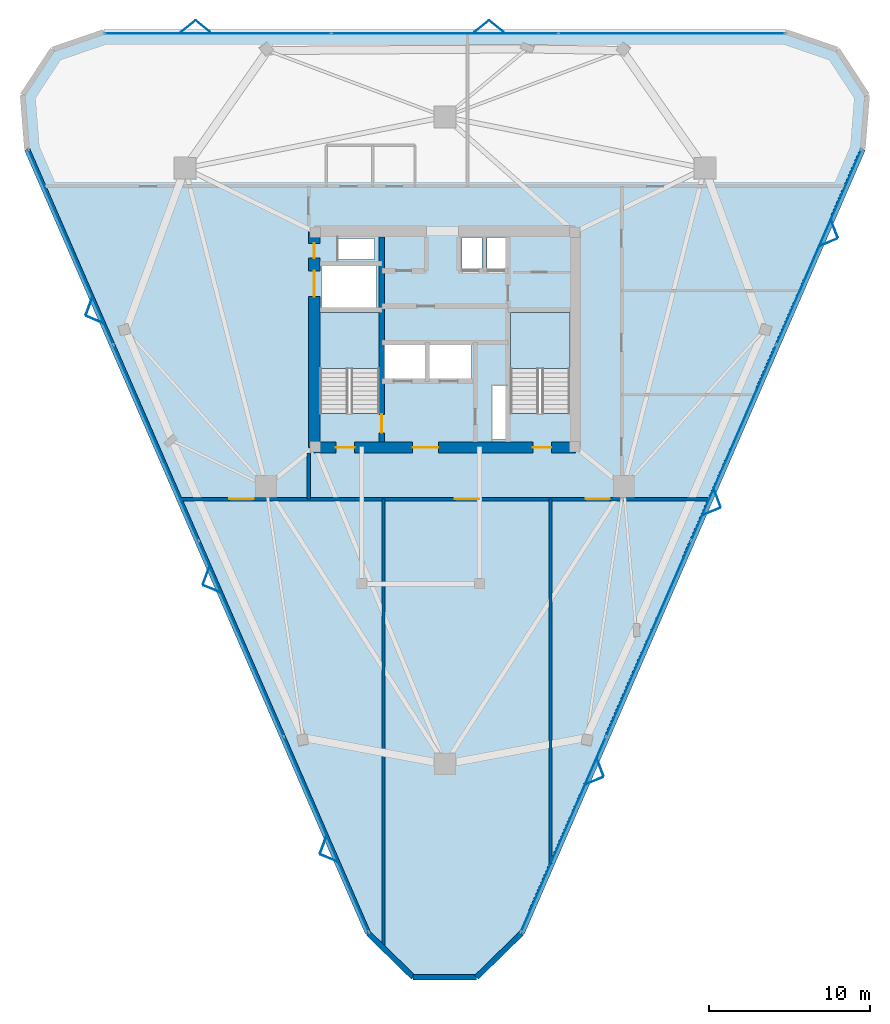
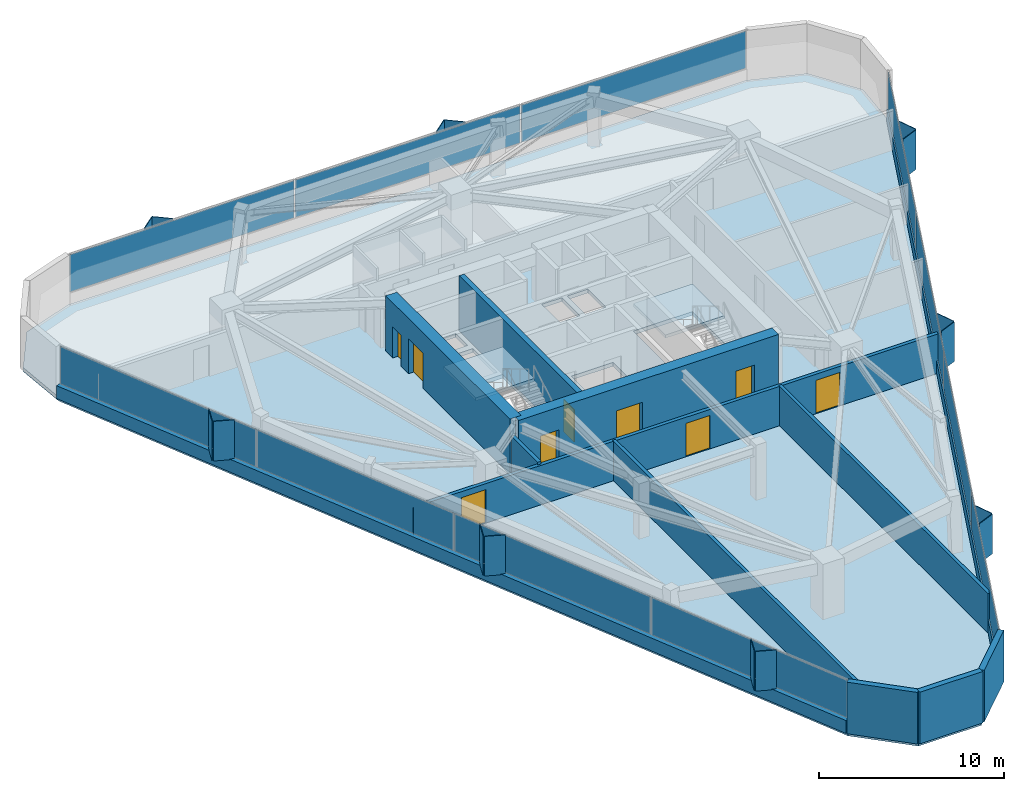
# One storey, part 9 of 13: 27 plates, 12 walls, 9 doors, 3 slabs, 9 openings, 5 elements without a shape of their own.
"""IFC4 building model written with IfcOpenShell, lengths in metres."""

import ifcopenshell
import ifcopenshell.guid

model = None  # the IFC model being written
_history = None  # IfcOwnerHistory: only IFC2X3 demands one
_inside = {}  # id of a spatial element -> (the spatial element, [elements in it])
_under = {}  # id of a project, library or spatial element -> (it, [spatial elements below it])
_declared = {}  # id of a project -> (the project, [libraries it declares])
_typed = {}  # id of a type object -> (the type object, [elements of that type])
_made_of = {}  # id of a material, layer set ... -> (it, [elements and type objects made of it])


def new_model(schema):
    """Start an empty IFC model of exactly this schema.

    Asked for "IFC4X3", IfcOpenShell would pick the latest addendum, in which some entities
    have other attributes; the version numbers below select the first issue.
    IFC2X3 requires an IfcOwnerHistory on every rooted entity: one is made here for all.
    """
    global model, _history
    if schema == "IFC4X3":
        model = ifcopenshell.file(schema_version=(4, 3, 0, 0))
    else:
        model = ifcopenshell.file(schema=schema)
    _inside.clear()
    _under.clear()
    _declared.clear()
    _typed.clear()
    _made_of.clear()
    _history = None
    if model.schema == "IFC2X3":
        org = make("IfcOrganization", Name="unknown")
        user = make(
            "IfcPersonAndOrganization",
            ThePerson=make("IfcPerson", FamilyName="unknown"),
            TheOrganization=org,
        )
        app = make(
            "IfcApplication",
            ApplicationDeveloper=org,
            Version="unknown",
            ApplicationFullName="unknown",
            ApplicationIdentifier="unknown",
        )
        _history = make(
            "IfcOwnerHistory",
            OwningUser=user,
            OwningApplication=app,
            ChangeAction="ADDED",
            CreationDate=0,
        )
    return model


def make(cls, **values):
    """One entity of the class cls with the attributes given. An attribute that is None is left unset."""
    return model.create_entity(
        cls, **{name: value for name, value in values.items() if value is not None}
    )


def rooted(cls, **values):
    """An entity with a GlobalId (a new one), such as an element, a storey or a relation."""
    return make(cls, GlobalId=ifcopenshell.guid.new(), OwnerHistory=_history, **values)


def si_unit(unit_type, name, prefix=None):
    """IfcSIUnit, for example si_unit("LENGTHUNIT", "METRE", prefix="MILLI")."""
    return make("IfcSIUnit", UnitType=unit_type, Prefix=prefix, Name=name)


def assignment(units):
    """IfcUnitAssignment: the units of a project."""
    return None if units is None else make("IfcUnitAssignment", Units=units)


def point(xyz):
    """IfcCartesianPoint."""
    return None if xyz is None else make("IfcCartesianPoint", Coordinates=xyz)


def direction(xyz):
    """IfcDirection."""
    return None if xyz is None else make("IfcDirection", DirectionRatios=xyz)


def frame(location, z_axis=None, x_axis=None):
    """IfcAxis2Placement3D, a coordinate frame: its origin and axes. An axis left out is left unset."""
    return make(
        "IfcAxis2Placement3D",
        Location=point(location),
        Axis=direction(z_axis),
        RefDirection=direction(x_axis),
    )


def frame_2d(location, x_axis=None):
    """IfcAxis2Placement2D, a coordinate frame in the plane: its origin and x axis."""
    return make(
        "IfcAxis2Placement2D", Location=point(location), RefDirection=direction(x_axis)
    )


def origin():
    """The frame at (0, 0, 0) with its axes left unset."""
    return frame((0.0, 0.0, 0.0))


def origin_2d():
    """The frame at (0, 0) in the plane with its x axis left unset."""
    return frame_2d((0.0, 0.0))


def place(relative_to, where):
    """IfcLocalPlacement: puts the frame where relative to a parent placement (None: the world)."""
    return make(
        "IfcLocalPlacement", PlacementRelTo=relative_to, RelativePlacement=where
    )


def context(
    kind, dimensions, precision=None, world=None, true_north=None, identifier=None
):
    """IfcGeometricRepresentationContext, for example the 3D "Model" context."""
    return make(
        "IfcGeometricRepresentationContext",
        ContextIdentifier=identifier,
        ContextType=kind,
        CoordinateSpaceDimension=dimensions,
        Precision=precision,
        WorldCoordinateSystem=world,
        TrueNorth=true_north,
    )


def subcontext(parent, identifier, kind, view, scale=None):
    """IfcGeometricRepresentationSubContext, for example "Body" below "Model"."""
    return make(
        "IfcGeometricRepresentationSubContext",
        ContextIdentifier=identifier,
        ContextType=kind,
        ParentContext=parent,
        TargetScale=scale,
        TargetView=view,
    )


def project(units=None, contexts=None):
    """IfcProject with its units and contexts."""
    return rooted(
        "IfcProject",
        Name="project",
        RepresentationContexts=contexts,
        UnitsInContext=assignment(units),
    )


def spatial(cls, under=None, at=None, **own):
    """A site, building, storey or space (cls), placed at a placement, below another one or the project."""
    s = rooted(cls, ObjectPlacement=at, **own)
    if under is not None:
        _under.setdefault(under.id(), (under, []))[1].append(s)
    return s


def polyline(points):
    """IfcPolyline through the points."""
    return make("IfcPolyline", Points=[point(p) for p in points])


def profile(cls, at=None, kind="AREA", **sizes):
    """A parametric profile (cls). Its sizes go by their IFC names, for example OverallWidth=200.0."""
    return make(cls, ProfileType=kind, Position=at, **sizes)


def rectangle(**sizes):
    """IfcRectangleProfileDef."""
    return profile("IfcRectangleProfileDef", **sizes)


def outline(outer, holes=None, kind="AREA"):
    """IfcArbitraryClosedProfileDef: a profile drawn as a closed curve; with holes, ...WithVoids."""
    if holes is None:
        return make("IfcArbitraryClosedProfileDef", ProfileType=kind, OuterCurve=outer)
    return make(
        "IfcArbitraryProfileDefWithVoids",
        ProfileType=kind,
        OuterCurve=outer,
        InnerCurves=holes,
    )


def extrude(swept, where, along, depth):
    """IfcExtrudedAreaSolid: the profile swept, set in the frame where, extruded along a direction by depth."""
    return make(
        "IfcExtrudedAreaSolid",
        SweptArea=swept,
        Position=where,
        ExtrudedDirection=direction(along),
        Depth=depth,
    )


def shape(context_of_items, identifier, shape_type, items):
    """IfcShapeRepresentation: the items that make up one representation, for example the "Body"."""
    return make(
        "IfcShapeRepresentation",
        ContextOfItems=context_of_items,
        RepresentationIdentifier=identifier,
        RepresentationType=shape_type,
        Items=items,
    )


def material(Name=None, Category=None):
    """IfcMaterial."""
    return make("IfcMaterial", Name=Name, Category=Category)


def layer(
    of_material, thickness, ventilated=None, Name=None, Category=None, Priority=None
):
    """IfcMaterialLayer: one layer of a wall or slab, of a material (None: an air gap)."""
    return make(
        "IfcMaterialLayer",
        Material=of_material,
        LayerThickness=thickness,
        IsVentilated=ventilated,
        Name=Name,
        Category=Category,
        Priority=Priority,
    )


def layer_set(layers, Name=None):
    """IfcMaterialLayerSet."""
    return make("IfcMaterialLayerSet", MaterialLayers=layers, LayerSetName=Name)


def made_of(thing, what):
    """Note that an element or type object is made of a material, layer set ...; save() writes the relation."""
    if what is not None:
        _made_of.setdefault(what.id(), (what, []))[1].append(thing)
    return thing


def type_object(cls, material=None, **own):
    """A type object (cls), such as IfcWallType, which elements share."""
    return made_of(rooted(cls, **own), material)


def element(
    cls,
    number,
    at=None,
    inside=None,
    cuts=None,
    type_object=None,
    material=None,
    context=None,
    identifier="Body",
    shape_type=None,
    held_by="IfcProductDefinitionShape",
    body=None,
    shapes=None,
    **own,
):
    """One element of the class cls, such as IfcWall. Its Tag is "e" and its number.

    at: its placement. inside: the storey or other place that contains it. cuts: it is an
    opening in that element (IfcRelVoidsElement). A single representation is given by context,
    identifier, shape_type and body (its items); several are given by shapes. held_by: the class
    of the entity that holds the representations. save() writes the other relations.
    """
    e = rooted(cls, Tag="e%d" % number, ObjectPlacement=at, **own)
    if body is not None:
        shapes = [shape(context, identifier, shape_type, body)]
    if shapes is not None:
        e.Representation = make(held_by, Representations=shapes)
    if inside is not None:
        _inside.setdefault(inside.id(), (inside, []))[1].append(e)
    if cuts is not None:
        rooted(
            "IfcRelVoidsElement", RelatingBuildingElement=cuts, RelatedOpeningElement=e
        )
    if type_object is not None:
        _typed.setdefault(type_object.id(), (type_object, []))[1].append(e)
    return made_of(e, material)


def fill(opening, filler):
    """IfcRelFillsElement: the door or window that sits in an opening."""
    return rooted(
        "IfcRelFillsElement",
        RelatingOpeningElement=opening,
        RelatedBuildingElement=filler,
    )


def aggregate(whole, parts):
    """IfcRelAggregates: a whole, such as a stair, and the parts it consists of."""
    return rooted("IfcRelAggregates", RelatingObject=whole, RelatedObjects=parts)


def save(model, path):
    """Write the relations noted so far, then the file.

    IfcRelAggregates (storeys below a building ...), IfcRelContainedInSpatialStructure (elements
    in a storey), IfcRelDefinesByType, IfcRelAssociatesMaterial and IfcRelDeclares: one each for
    every whole, place, type object, material and project.
    """
    for whole, parts in _under.values():
        aggregate(whole, parts)
    for where, things in _inside.values():
        rooted(
            "IfcRelContainedInSpatialStructure",
            RelatedElements=things,
            RelatingStructure=where,
        )
    for kind, things in _typed.values():
        rooted("IfcRelDefinesByType", RelatedObjects=things, RelatingType=kind)
    for what, things in _made_of.values():
        rooted("IfcRelAssociatesMaterial", RelatedObjects=things, RelatingMaterial=what)
    for by, libraries in _declared.values():
        rooted("IfcRelDeclares", RelatingContext=by, RelatedDefinitions=libraries)
    model.write(path)


model = new_model("IFC4")

# Units and contexts
model_context = context("Model", 3, precision=1e-05, world=origin(), true_north=direction((0.0, 1.0)))
body_context = subcontext(model_context, "Body", "Model", "MODEL_VIEW")
ifc_project = project(units=[si_unit("LENGTHUNIT", "METRE"), si_unit("AREAUNIT", "SQUARE_METRE"), si_unit("VOLUMEUNIT", "CUBIC_METRE"), si_unit("PLANEANGLEUNIT", "RADIAN"), si_unit("MASSUNIT", "GRAM", prefix="KILO")], contexts=[model_context])

# Site, building, storey
site_placement = place(None, origin())
site = spatial("IfcSite", under=ifc_project, at=site_placement, CompositionType="ELEMENT")
building_placement = place(site_placement, origin())
building = spatial("IfcBuilding", under=site, at=building_placement, Name="Talyreon Biosciences Tower", CompositionType="ELEMENT")
storey_placement = place(building_placement, frame((0.0, 0.0, 190.35009765625)))
storey = spatial("IfcBuildingStorey", under=building, at=storey_placement, Name="L50", CompositionType="ELEMENT", Elevation=190.35009765625)

# Curtain wall, plates
ifc_material_1 = material(Name="Thermally broken aluminium and low-E glazing", Category="aluminium")
ifc_layer_1 = layer(ifc_material_1, 0.179931640625)
ifc_layer_set_1 = layer_set([ifc_layer_1], Name="Thermally broken aluminium and low-E glazing")
curtain_wall_type = type_object("IfcCurtainWallType", Name="CurtainWall_Zone4Optical", PredefinedType="NOTDEFINED", material=ifc_layer_set_1)
curtain_wall_1_placement = place(storey_placement, origin())
curtain_wall_1 = element("IfcCurtainWall", 1, at=curtain_wall_1_placement, inside=storey, type_object=curtain_wall_type, Name="L50 Unitised Curtain Wall FCW-L50-00", PredefinedType="NOTDEFINED")
ifc_material_2 = material(Name="Triple-silver low-E insulated glazing", Category="glass")
ifc_layer_2 = layer(ifc_material_2, 0.031982421875)
ifc_layer_set_2 = layer_set([ifc_layer_2], Name="Triple-silver low-E insulated glazing")
plate_type_1 = type_object("IfcPlateType", Name="CWGlazingPanel_32", PredefinedType="CURTAIN_PANEL", material=ifc_layer_set_2)
plate_1_placement = place(storey_placement, frame((58.656982421875, 37.31640625, 0.875), z_axis=(0.0, 0.0, 1.0), x_axis=(-0.398862148946, 0.917010897502, 0.0)))
plate_1 = element("IfcPlate", 2, at=plate_1_placement, type_object=plate_type_1, Name="CW5 panel 1.1", PredefinedType="CURTAIN_PANEL", context=body_context, shape_type="SweptSolid", body=[
    extrude(rectangle(XDim=13.14697265625, YDim=0.031982421875, at=origin_2d()), origin(), (0.0, 0.0, 1.0), 2.4599609375),
])
plate_2_placement = place(storey_placement, frame((53.380859375, 49.44677734375, 0.875), z_axis=(0.0, 0.0, 1.0), x_axis=(-0.398862148946, 0.917010897502, 0.0)))
plate_2 = element("IfcPlate", 3, at=plate_2_placement, type_object=plate_type_1, Name="CW5 panel 2.1", PredefinedType="CURTAIN_PANEL", context=body_context, shape_type="SweptSolid", body=[
    extrude(rectangle(XDim=13.179443359375, YDim=0.031982421875, at=origin_2d()), origin(), (0.0, 0.0, 1.0), 2.4599609375),
])
plate_3_placement = place(storey_placement, frame((48.09814453125, 61.592041015625, 0.875), z_axis=(0.0, 0.0, 1.0), x_axis=(-0.398862148946, 0.917010897502, 0.0)))
plate_3 = element("IfcPlate", 4, at=plate_3_placement, type_object=plate_type_1, Name="CW5 panel 3.1", PredefinedType="CURTAIN_PANEL", context=body_context, shape_type="SweptSolid", body=[
    extrude(rectangle(XDim=13.179443359375, YDim=0.031982421875, at=origin_2d()), origin(), (0.0, 0.0, 1.0), 2.4599609375),
])
plate_4_placement = place(storey_placement, frame((42.822021484375, 73.722412109375, 0.875), z_axis=(0.0, 0.0, 1.0), x_axis=(-0.398862148946, 0.917010897502, 0.0)))
plate_4 = element("IfcPlate", 5, at=plate_4_placement, type_object=plate_type_1, Name="CW5 panel 4.1", PredefinedType="CURTAIN_PANEL", context=body_context, shape_type="SweptSolid", body=[
    extrude(rectangle(XDim=13.14697265625, YDim=0.031982421875, at=origin_2d()), origin(), (0.0, 0.0, 1.0), 2.4599609375),
])
aggregate(curtain_wall_1, [plate_1, plate_2, plate_3, plate_4])

curtain_wall_2_placement = place(storey_placement, origin())
curtain_wall_2 = element("IfcCurtainWall", 6, at=curtain_wall_2_placement, inside=storey, type_object=curtain_wall_type, Name="L50 Unitised Curtain Wall FCW-L50-04", PredefinedType="NOTDEFINED")
plate_5_placement = place(storey_placement, frame((51.92919921875, 86.971923828125, 0.875), z_axis=(0.0, 0.0, 1.0), x_axis=(1.0, 0.0, 0.0)))
plate_5 = element("IfcPlate", 7, at=plate_5_placement, type_object=plate_type_1, Name="CW5 panel 1.1", PredefinedType="CURTAIN_PANEL", context=body_context, shape_type="SweptSolid", body=[
    extrude(rectangle(XDim=13.98974609375, YDim=0.031982421875, at=origin_2d()), origin(), (0.0, 0.0, 1.0), 2.4599609375),
])
plate_6_placement = place(storey_placement, frame((66.0, 86.971923828125, 0.875), z_axis=(0.0, 0.0, 1.0), x_axis=(1.0, 0.0, 0.0)))
plate_6 = element("IfcPlate", 8, at=plate_6_placement, type_object=plate_type_1, Name="CW5 panel 2.1", PredefinedType="CURTAIN_PANEL", context=body_context, shape_type="SweptSolid", body=[
    extrude(rectangle(XDim=14.022216796875, YDim=0.031982421875, at=origin_2d()), origin(), (0.0, 0.0, 1.0), 2.4599609375),
])
plate_7_placement = place(storey_placement, frame((80.071044921875, 86.971923828125, 0.875), z_axis=(0.0, 0.0, 1.0), x_axis=(1.0, 0.0, 0.0)))
plate_7 = element("IfcPlate", 9, at=plate_7_placement, type_object=plate_type_1, Name="CW5 panel 3.1", PredefinedType="CURTAIN_PANEL", context=body_context, shape_type="SweptSolid", body=[
    extrude(rectangle(XDim=13.98974609375, YDim=0.031982421875, at=origin_2d()), origin(), (0.0, 0.0, 1.0), 2.4599609375),
])
aggregate(curtain_wall_2, [plate_5, plate_6, plate_7])

curtain_wall_3_placement = place(storey_placement, origin())
curtain_wall_3 = element("IfcCurtainWall", 10, at=curtain_wall_3_placement, inside=storey, type_object=curtain_wall_type, Name="L50 Unitised Curtain Wall FCW-L50-08", PredefinedType="NOTDEFINED")
plate_8_placement = place(storey_placement, frame((89.177978515625, 73.722412109375, 0.875), z_axis=(0.0, 0.0, 1.0), x_axis=(-0.398862148946, -0.917010897502, 0.0)))
plate_8 = element("IfcPlate", 11, at=plate_8_placement, type_object=plate_type_1, Name="CW5 panel 1.1", PredefinedType="CURTAIN_PANEL", context=body_context, shape_type="SweptSolid", body=[
    extrude(rectangle(XDim=13.14697265625, YDim=0.031982421875, at=origin_2d()), origin(), (0.0, 0.0, 1.0), 2.4599609375),
])
plate_9_placement = place(storey_placement, frame((83.90185546875, 61.592041015625, 0.875), z_axis=(0.0, 0.0, 1.0), x_axis=(-0.398862148946, -0.917010897502, 0.0)))
plate_9 = element("IfcPlate", 12, at=plate_9_placement, type_object=plate_type_1, Name="CW5 panel 2.1", PredefinedType="CURTAIN_PANEL", context=body_context, shape_type="SweptSolid", body=[
    extrude(rectangle(XDim=13.179443359375, YDim=0.031982421875, at=origin_2d()), origin(), (0.0, 0.0, 1.0), 2.4599609375),
])
plate_10_placement = place(storey_placement, frame((78.619140625, 49.44677734375, 0.875), z_axis=(0.0, 0.0, 1.0), x_axis=(-0.398862148946, -0.917010897502, 0.0)))
plate_10 = element("IfcPlate", 13, at=plate_10_placement, type_object=plate_type_1, Name="CW5 panel 3.1", PredefinedType="CURTAIN_PANEL", context=body_context, shape_type="SweptSolid", body=[
    extrude(rectangle(XDim=13.179443359375, YDim=0.031982421875, at=origin_2d()), origin(), (0.0, 0.0, 1.0), 2.4599609375),
])
plate_11_placement = place(storey_placement, frame((73.343017578125, 37.31640625, 0.875), z_axis=(0.0, 0.0, 1.0), x_axis=(-0.398862148946, -0.917010897502, 0.0)))
plate_11 = element("IfcPlate", 14, at=plate_11_placement, type_object=plate_type_1, Name="CW5 panel 4.1", PredefinedType="CURTAIN_PANEL", context=body_context, shape_type="SweptSolid", body=[
    extrude(rectangle(XDim=13.14697265625, YDim=0.031982421875, at=origin_2d()), origin(), (0.0, 0.0, 1.0), 2.4599609375),
])
aggregate(curtain_wall_3, [plate_8, plate_9, plate_10, plate_11])

# Slab
ifc_material_3 = material(Name="Concrete C40/50", Category="concrete")
ifc_layer_3 = layer(ifc_material_3, 0.25)
ifc_layer_set_3 = layer_set([ifc_layer_3], Name="Concrete C40/50")
slab_type_1 = type_object("IfcSlabType", Name="DryLabFloorSlab_250", PredefinedType="FLOOR", material=ifc_layer_set_3)
slab_1_placement = place(storey_placement, frame((0.0, 0.0, -0.25)))
element("IfcSlab", 15, at=slab_1_placement, inside=storey, type_object=slab_type_1, Name="L50 Structural Floor Slab", PredefinedType="FLOOR", context=body_context, shape_type="SweptSolid", body=[
    extrude(outline(polyline([(61.2314453125, 31.197021484375), (40.100830078125, 79.778076171875), (39.8310546875, 83.138916015625), (41.6796875, 85.958984375), (44.869384765625, 87.052001953125), (87.130859375, 87.052001953125), (90.3203125, 85.958984375), (92.1689453125, 83.138916015625), (91.899169921875, 79.778076171875), (70.7685546875, 31.197021484375), (67.9619140625, 28.455322265625), (64.0380859375, 28.455322265625), (61.2314453125, 31.197021484375)]), holes=[polyline([(69.820068359375, 65.10009765625), (69.820068359375, 61.800048828125), (68.9599609375, 61.800048828125), (68.9599609375, 65.10009765625), (69.820068359375, 65.10009765625)]), polyline([(61.929931640625, 69.64990234375), (61.929931640625, 63.407958984375), (58.25, 63.407958984375), (58.25, 69.64990234375), (61.929931640625, 69.64990234375)]), polyline([(73.75, 69.64990234375), (73.75, 63.407958984375), (70.070068359375, 63.407958984375), (70.070068359375, 69.64990234375), (73.75, 69.64990234375)]), polyline([(64.800048828125, 67.64990234375), (64.800048828125, 65.550048828125), (62.199951171875, 65.550048828125), (62.199951171875, 67.64990234375), (64.800048828125, 67.64990234375)]), polyline([(67.64990234375, 67.64990234375), (67.64990234375, 65.550048828125), (65.050048828125, 65.550048828125), (65.050048828125, 67.64990234375), (67.64990234375, 67.64990234375)]), polyline([(61.75, 72.550048828125), (61.75, 69.97998046875), (58.35009765625, 69.97998046875), (58.35009765625, 72.550048828125), (61.75, 72.550048828125)]), polyline([(68.300048828125, 74.300048828125), (68.300048828125, 72.35009765625), (67.050048828125, 72.35009765625), (67.050048828125, 74.300048828125), (68.300048828125, 74.300048828125)]), polyline([(69.919921875, 72.35009765625), (68.6201171875, 72.35009765625), (68.6201171875, 74.300048828125), (69.919921875, 74.300048828125), (69.919921875, 72.35009765625)]), polyline([(61.64990234375, 72.9599609375), (59.39990234375, 72.9599609375), (59.39990234375, 74.25), (61.64990234375, 74.25), (61.64990234375, 72.9599609375)])]), origin(), (0.0, 0.0, 1.0), 0.25),
])

# Plates
ifc_material_4 = material(Name="Ivory GFRC sunshade panel", Category="concrete")
ifc_layer_4 = layer(ifc_material_4, 0.044921875)
ifc_layer_set_4 = layer_set([ifc_layer_4], Name="Ivory GFRC sunshade panel")
plate_type_2 = type_object("IfcPlateType", Name="FoldedVSunshade_NorthFace_SUNSHADE", PredefinedType="USERDEFINED", material=ifc_layer_set_4)
for number, where, z_axis, x_axis, name in (
    (16, (50.08935546875, 87.412109375, 0.7900390625), (0.0, 0.0, 1.0), (0.771624583388, 0.636078220278, 0.0), "L50 Folded V-Sunshade Panel 04.01L"),
    (17, (50.9892578125, 87.412109375, 0.7900390625), (0.0, 0.0, 1.0), (0.771624583388, -0.636078220278, 0.0), "L50 Folded V-Sunshade Panel 04.01R"),
    (18, (68.289306640625, 87.412109375, 0.7900390625), (0.0, 0.0, 1.0), (0.771624583388, 0.636078220278, 0.0), "L50 Folded V-Sunshade Panel 04.02L"),
    (19, (69.189208984375, 87.412109375, 0.7900390625), (0.0, 0.0, 1.0), (0.771624583388, -0.636078220278, 0.0), "L50 Folded V-Sunshade Panel 04.02R"),
):
    element("IfcPlate", number, at=place(storey_placement, frame(where, z_axis=z_axis, x_axis=x_axis)), inside=storey, type_object=plate_type_2, Name=name, ObjectType="SUNSHADE", PredefinedType="USERDEFINED", context=body_context, shape_type="SweptSolid", body=[
        extrude(rectangle(XDim=1.14990234375, YDim=0.044921875, at=origin_2d()), origin(), (0.0, 0.0, 1.0), 2.610107421875),
    ])
ifc_layer_5 = layer(ifc_material_4, 0.044921875)
ifc_layer_set_5 = layer_set([ifc_layer_5], Name="Ivory GFRC sunshade panel")
plate_type_3 = type_object("IfcPlateType", Name="FoldedVSunshade_SunFace_SUNSHADE", PredefinedType="USERDEFINED", material=ifc_layer_set_5)
for number, where, z_axis, x_axis, name in (
    (20, (58.8193359375, 35.84033203125, 0.7900390625), (0.0, 0.0, 1.0), (-0.923926279217, 0.382570556331, 0.0), "L50 Folded V-Sunshade Panel 00.01L"),
    (21, (58.460205078125, 36.66552734375, 0.7900390625), (0.0, 0.0, 1.0), (0.35009294255, 0.936714968161, 0.0), "L50 Folded V-Sunshade Panel 00.01R"),
    (22, (51.56005859375, 52.52978515625, 0.7900390625), (0.0, 0.0, 1.0), (-0.923926279217, 0.382570556331, 0.0), "L50 Folded V-Sunshade Panel 00.02L"),
    (23, (51.200927734375, 53.355224609375, 0.7900390625), (0.0, 0.0, 1.0), (0.35009294255, 0.936714968161, 0.0), "L50 Folded V-Sunshade Panel 00.02R"),
    (24, (44.30078125, 69.219482421875, 0.7900390625), (0.0, 0.0, 1.0), (-0.923926279217, 0.382570556331, 0.0), "L50 Folded V-Sunshade Panel 00.03L"),
    (25, (43.94189453125, 70.044921875, 0.7900390625), (0.0, 0.0, 1.0), (0.35009294255, 0.936714968161, 0.0), "L50 Folded V-Sunshade Panel 00.03R"),
    (26, (90.147216796875, 74.84765625, 0.7900390625), (0.0, 0.0, 1.0), (0.35009294255, -0.936714968161, 0.0), "L50 Folded V-Sunshade Panel 08.01L"),
    (27, (89.788330078125, 74.022216796875, 0.7900390625), (0.0, 0.0, 1.0), (-0.923926279217, -0.382570556331, 0.0), "L50 Folded V-Sunshade Panel 08.01R"),
    (28, (82.887939453125, 58.157958984375, 0.7900390625), (0.0, 0.0, 1.0), (0.35009294255, -0.936714968161, 0.0), "L50 Folded V-Sunshade Panel 08.02L"),
    (29, (82.529052734375, 57.332763671875, 0.7900390625), (0.0, 0.0, 1.0), (-0.923926279217, -0.382570556331, 0.0), "L50 Folded V-Sunshade Panel 08.02R"),
    (30, (75.628662109375, 41.468505859375, 0.7900390625), (0.0, 0.0, 1.0), (0.35009294255, -0.936714968161, 0.0), "L50 Folded V-Sunshade Panel 08.03L"),
    (31, (75.269775390625, 40.64306640625, 0.7900390625), (0.0, 0.0, 1.0), (-0.923926279217, -0.382570556331, 0.0), "L50 Folded V-Sunshade Panel 08.03R"),
):
    element("IfcPlate", number, at=place(storey_placement, frame(where, z_axis=z_axis, x_axis=x_axis)), inside=storey, type_object=plate_type_3, Name=name, ObjectType="SUNSHADE", PredefinedType="USERDEFINED", context=body_context, shape_type="SweptSolid", body=[
        extrude(rectangle(XDim=1.14990234375, YDim=0.044921875, at=origin_2d()), origin(), (0.0, 0.0, 1.0), 2.610107421875),
    ])

# Stair, slab
stair_type = type_object("IfcStairType", Name="DoglegEscapeStair_3650", PredefinedType="HALF_TURN_STAIR", material=ifc_material_3)
stair_1_placement = place(storey_placement, origin())
stair_1 = element("IfcStair", 32, at=stair_1_placement, inside=storey, type_object=stair_type, Name="L50 Core Escape Stair 1", PredefinedType="HALF_TURN_STAIR")
ifc_layer_6 = layer(ifc_material_3, 0.199951171875)
ifc_layer_set_6 = layer_set([ifc_layer_6], Name="Concrete C40/50")
slab_type_2 = type_object("IfcSlabType", Name="StairLandingSlab_200", PredefinedType="LANDING", material=ifc_layer_set_6)
slab_2_placement = place(storey_placement, frame((0.0, 0.0, 1.625)))
slab_2 = element("IfcSlab", 33, at=slab_2_placement, type_object=slab_type_2, Name="ST-1 landing 1", PredefinedType="LANDING", context=body_context, shape_type="SweptSolid", body=[
    extrude(outline(polyline([(61.929931640625, 66.199951171875), (61.929931640625, 69.64990234375), (58.25, 69.64990234375), (58.25, 66.199951171875), (61.929931640625, 66.199951171875)])), origin(), (0.0, 0.0, 1.0), 0.199951171875),
])
aggregate(stair_1, [slab_2])

stair_2_placement = place(storey_placement, origin())
stair_2 = element("IfcStair", 34, at=stair_2_placement, inside=storey, type_object=stair_type, Name="L50 Core Escape Stair 2", PredefinedType="HALF_TURN_STAIR")
slab_3_placement = place(storey_placement, frame((0.0, 0.0, 1.625)))
slab_3 = element("IfcSlab", 35, at=slab_3_placement, type_object=slab_type_2, Name="ST-2 landing 1", PredefinedType="LANDING", context=body_context, shape_type="SweptSolid", body=[
    extrude(outline(polyline([(73.75, 66.199951171875), (73.75, 69.64990234375), (70.070068359375, 69.64990234375), (70.070068359375, 66.199951171875), (73.75, 66.199951171875)])), origin(), (0.0, 0.0, 1.0), 0.199951171875),
])
aggregate(stair_2, [slab_3])

# Walls
ifc_material_5 = material(Name="Gypsum fireboard acoustic stud", Category="gypsum")
ifc_layer_7 = layer(ifc_material_5, 0.199951171875)
ifc_layer_set_7 = layer_set([ifc_layer_7], Name="Gypsum fireboard acoustic stud")
wall_type_1 = type_object("IfcWallType", Name="ChemControlPartition_200", PredefinedType="PARTITIONING", material=ifc_layer_set_7)
wall_1_placement = place(storey_placement, frame((62.199951171875, 30.369873046875, 0.0), z_axis=(0.0, 0.0, 1.0), x_axis=(0.0, 1.0, 0.0)))
element("IfcWall", 36, at=wall_1_placement, inside=storey, type_object=wall_type_1, Name="L50 Interior Wall IW-L50-SDIV1", PredefinedType="PARTITIONING", context=body_context, shape_type="SweptSolid", body=[
    extrude(rectangle(XDim=27.730224609375, YDim=0.199951171875, at=frame_2d((13.865234375, 0.0))), origin(), (0.0, 0.0, 1.0), 2.599853515625),
])
wall_2_placement = place(storey_placement, frame((72.5390625, 35.480712890625, 0.0), z_axis=(0.0, 0.0, 1.0), x_axis=(0.0, 1.0, 0.0)))
element("IfcWall", 37, at=wall_2_placement, inside=storey, type_object=wall_type_1, Name="L50 Interior Wall IW-L50-SDIV2", PredefinedType="PARTITIONING", context=body_context, shape_type="SweptSolid", body=[
    extrude(rectangle(XDim=22.619384765625, YDim=0.199951171875, at=frame_2d((11.3095703125, 0.0))), origin(), (0.0, 0.0, 1.0), 2.599853515625),
])

# Wall, opening, door
ifc_material_6 = material(Name="Concrete C50/60", Category="concrete")
ifc_layer_8 = layer(ifc_material_6, 0.320068359375)
ifc_layer_set_8 = layer_set([ifc_layer_8], Name="Concrete C50/60")
wall_type_2 = type_object("IfcWallType", Name="CoreShearWall_320", PredefinedType="SHEAR", material=ifc_layer_set_8)
wall_3_placement = place(storey_placement, frame((62.090087890625, 61.64990234375, 0.0), z_axis=(0.0, 0.0, 1.0), x_axis=(0.0, 1.0, 0.0)))
wall_3 = element("IfcWall", 38, at=wall_3_placement, inside=storey, type_object=wall_type_2, Name="L50 Core Shaft Wall SW1E", PredefinedType="SHEAR", context=body_context, shape_type="SweptSolid", body=[
    extrude(rectangle(XDim=12.7001953125, YDim=0.320068359375, at=frame_2d((6.35009765625, 0.0))), origin(), (0.0, 0.0, 1.0), 3.64990234375),
])
opening_1_placement = place(wall_3_placement, frame((0.550048828125, 0.0, 0.0)))
opening_1 = element("IfcOpeningElement", 39, at=opening_1_placement, cuts=wall_3, Name="Opening DR-L50-FF-ST1", PredefinedType="OPENING", context=body_context, shape_type="SweptSolid", body=[
    extrude(rectangle(XDim=1.14990234375, YDim=2.14990234375, at=frame_2d((0.574951171875, 1.074951171875))), frame((0.0, 0.169921875, 0.0), z_axis=(0.0, -1.0, 0.0), x_axis=(1.0, 0.0, 0.0)), (0.0, 0.0, 1.0), 0.340087890625),
])
ifc_material_7 = material(Name="Painted steel fire door", Category="steel")
door_type_1 = type_object("IfcDoorType", Name="StairShaftFireDoor_1150x2150", OperationType="NOTDEFINED", PredefinedType="DOOR", material=ifc_material_7)
door_1_placement = place(opening_1_placement, origin())
door_1 = element("IfcDoor", 40, at=door_1_placement, inside=storey, type_object=door_type_1, Name="L50 Core Door DR-L50-FF-ST1", OperationType="SINGLE_SWING_LEFT", OverallHeight=2.14990234375, OverallWidth=1.14990234375, PredefinedType="DOOR", context=body_context, shape_type="SweptSolid", body=[
    extrude(rectangle(XDim=1.14990234375, YDim=2.14990234375, at=frame_2d((0.574951171875, 1.074951171875))), frame((0.0, 0.02490234375, 0.0), z_axis=(0.0, -1.0, 0.0), x_axis=(1.0, 0.0, 0.0)), (0.0, 0.0, 1.0), 0.050048828125),
])
fill(opening_1, door_1)

# Wall, openings, doors
ifc_layer_9 = layer(ifc_material_6, 0.699951171875)
ifc_layer_set_9 = layer_set([ifc_layer_9], Name="Concrete C50/60")
wall_type_3 = type_object("IfcWallType", Name="CoreShearWall_700", PredefinedType="SHEAR", material=ifc_layer_set_9)
wall_4_placement = place(storey_placement, frame((57.89990234375, 61.300048828125, 0.0), z_axis=(0.0, 0.0, 1.0), x_axis=(1.0, 0.0, 0.0)))
wall_4 = element("IfcWall", 41, at=wall_4_placement, inside=storey, type_object=wall_type_3, Name="L50 Core Shear Wall S", PredefinedType="SHEAR", context=body_context, shape_type="SweptSolid", body=[
    extrude(rectangle(XDim=16.2001953125, YDim=0.699951171875, at=frame_2d((8.10009765625, 0.0))), origin(), (0.0, 0.0, 1.0), 3.64990234375),
])
opening_2_placement = place(wall_4_placement, frame((1.35009765625, 0.0, 0.0)))
opening_2 = element("IfcOpeningElement", 42, at=opening_2_placement, cuts=wall_4, Name="Opening DR-L50-ST1", PredefinedType="OPENING", context=body_context, shape_type="SweptSolid", body=[
    extrude(rectangle(XDim=1.14990234375, YDim=2.14990234375, at=frame_2d((0.574951171875, 1.074951171875))), frame((0.0, 0.35986328125, 0.0), z_axis=(0.0, -1.0, 0.0), x_axis=(1.0, 0.0, 0.0)), (0.0, 0.0, 1.0), 0.719970703125),
])
opening_3_placement = place(wall_4_placement, frame((6.10009765625, 0.0, 0.0)))
opening_3 = element("IfcOpeningElement", 43, at=opening_3_placement, cuts=wall_4, Name="Opening DR-L50-FFL", PredefinedType="OPENING", context=body_context, shape_type="SweptSolid", body=[
    extrude(rectangle(XDim=1.60009765625, YDim=2.14990234375, at=frame_2d((0.800048828125, 1.074951171875))), frame((0.0, 0.35986328125, 0.0), z_axis=(0.0, -1.0, 0.0), x_axis=(1.0, 0.0, 0.0)), (0.0, 0.0, 1.0), 0.719970703125),
])
opening_4_placement = place(wall_4_placement, frame((13.550048828125, 0.0, 0.0)))
opening_4 = element("IfcOpeningElement", 44, at=opening_4_placement, cuts=wall_4, Name="Opening DR-L50-ST2", PredefinedType="OPENING", context=body_context, shape_type="SweptSolid", body=[
    extrude(rectangle(XDim=1.14990234375, YDim=2.14990234375, at=frame_2d((0.574951171875, 1.074951171875))), frame((0.0, 0.35986328125, 0.0), z_axis=(0.0, -1.0, 0.0), x_axis=(1.0, 0.0, 0.0)), (0.0, 0.0, 1.0), 0.719970703125),
])
ifc_material_8 = material(Name="Painted steel smoke-seal fire door", Category="steel")
door_type_2 = type_object("IfcDoorType", Name="FirefightingLobbyDoubleDoor_1600x2150", OperationType="DOUBLE_DOOR_SINGLE_SWING", PredefinedType="DOOR", material=ifc_material_8)
door_2_placement = place(opening_3_placement, origin())
door_2 = element("IfcDoor", 45, at=door_2_placement, inside=storey, type_object=door_type_2, Name="L50 Core Door DR-L50-FFL", OperationType="DOUBLE_DOOR_SINGLE_SWING", OverallHeight=2.14990234375, OverallWidth=1.60009765625, PredefinedType="DOOR", context=body_context, shape_type="SweptSolid", body=[
    extrude(rectangle(XDim=1.60009765625, YDim=2.14990234375, at=frame_2d((0.800048828125, 1.074951171875))), frame((0.0, 0.02490234375, 0.0), z_axis=(0.0, -1.0, 0.0), x_axis=(1.0, 0.0, 0.0)), (0.0, 0.0, 1.0), 0.050048828125),
])
fill(opening_3, door_2)
door_3_placement = place(opening_2_placement, origin())
door_3 = element("IfcDoor", 46, at=door_3_placement, inside=storey, type_object=door_type_1, Name="L50 Core Door DR-L50-ST1", OperationType="SINGLE_SWING_LEFT", OverallHeight=2.14990234375, OverallWidth=1.14990234375, PredefinedType="DOOR", context=body_context, shape_type="SweptSolid", body=[
    extrude(rectangle(XDim=1.14990234375, YDim=2.14990234375, at=frame_2d((0.574951171875, 1.074951171875))), frame((0.0, 0.02490234375, 0.0), z_axis=(0.0, -1.0, 0.0), x_axis=(1.0, 0.0, 0.0)), (0.0, 0.0, 1.0), 0.050048828125),
])
fill(opening_2, door_3)
door_4_placement = place(opening_4_placement, origin())
door_4 = element("IfcDoor", 47, at=door_4_placement, inside=storey, type_object=door_type_1, Name="L50 Core Door DR-L50-ST2", OperationType="SINGLE_SWING_RIGHT", OverallHeight=2.14990234375, OverallWidth=1.14990234375, PredefinedType="DOOR", context=body_context, shape_type="SweptSolid", body=[
    extrude(rectangle(XDim=1.14990234375, YDim=2.14990234375, at=frame_2d((0.574951171875, 1.074951171875))), frame((0.0, 0.02490234375, 0.0), z_axis=(0.0, -1.0, 0.0), x_axis=(1.0, 0.0, 0.0)), (0.0, 0.0, 1.0), 0.050048828125),
])
fill(opening_4, door_4)

wall_5_placement = place(storey_placement, frame((57.89990234375, 74.699951171875, 0.0), z_axis=(0.0, 0.0, 1.0), x_axis=(0.0, -1.0, 0.0)))
wall_5 = element("IfcWall", 48, at=wall_5_placement, inside=storey, type_object=wall_type_3, Name="L50 Core Shear Wall W", PredefinedType="SHEAR", context=body_context, shape_type="SweptSolid", body=[
    extrude(rectangle(XDim=13.39990234375, YDim=0.699951171875, at=frame_2d((6.699951171875, 0.0))), origin(), (0.0, 0.0, 1.0), 3.64990234375),
])
opening_5_placement = place(wall_5_placement, frame((0.75, 0.0, 0.0)))
opening_5 = element("IfcOpeningElement", 49, at=opening_5_placement, cuts=wall_5, Name="Opening DR-L50-RSW", PredefinedType="OPENING", context=body_context, shape_type="SweptSolid", body=[
    extrude(rectangle(XDim=0.919921875, YDim=2.050048828125, at=frame_2d((0.4599609375, 1.02490234375))), frame((0.0, 0.35986328125, 0.0), z_axis=(0.0, -1.0, 0.0), x_axis=(1.0, 0.0, 0.0)), (0.0, 0.0, 1.0), 0.719970703125),
])
opening_6_placement = place(wall_5_placement, frame((2.449951171875, 0.0, 0.0)))
opening_6 = element("IfcOpeningElement", 50, at=opening_6_placement, cuts=wall_5, Name="Opening LD-L50-GL1", PredefinedType="OPENING", context=body_context, shape_type="SweptSolid", body=[
    extrude(rectangle(XDim=1.60009765625, YDim=2.300048828125, at=frame_2d((0.800048828125, 1.14990234375))), frame((0.0, 0.35986328125, 0.0), z_axis=(0.0, -1.0, 0.0), x_axis=(1.0, 0.0, 0.0)), (0.0, 0.0, 1.0), 0.719970703125),
])
ifc_material_9 = material(Name="Heavy-duty stainless-steel goods lift door", Category="steel")
door_type_3 = type_object("IfcDoorType", Name="GoodsLiftSlidingDoor_1600x2300", OperationType="DOUBLE_DOOR_SLIDING", PredefinedType="DOOR", material=ifc_material_9)
door_5_placement = place(opening_6_placement, origin())
door_5 = element("IfcDoor", 51, at=door_5_placement, inside=storey, type_object=door_type_3, Name="L50 Core Door LD-L50-GL1", OperationType="DOUBLE_DOOR_SLIDING", OverallHeight=2.300048828125, OverallWidth=1.60009765625, PredefinedType="DOOR", context=body_context, shape_type="SweptSolid", body=[
    extrude(rectangle(XDim=1.60009765625, YDim=2.300048828125, at=frame_2d((0.800048828125, 1.14990234375))), frame((0.0, 0.02490234375, 0.0), z_axis=(0.0, -1.0, 0.0), x_axis=(1.0, 0.0, 0.0)), (0.0, 0.0, 1.0), 0.050048828125),
])
fill(opening_6, door_5)
ifc_material_10 = material(Name="Painted steel fire-rated riser door", Category="steel")
door_type_4 = type_object("IfcDoorType", Name="RiserPlantAccessDoor_920x2050", OperationType="NOTDEFINED", PredefinedType="DOOR", material=ifc_material_10)
door_6_placement = place(opening_5_placement, origin())
door_6 = element("IfcDoor", 52, at=door_6_placement, inside=storey, type_object=door_type_4, Name="L50 Core Door DR-L50-RSW", OperationType="SINGLE_SWING_LEFT", OverallHeight=2.050048828125, OverallWidth=0.919921875, PredefinedType="DOOR", context=body_context, shape_type="SweptSolid", body=[
    extrude(rectangle(XDim=0.919921875, YDim=2.050048828125, at=frame_2d((0.4599609375, 1.02490234375))), frame((0.0, 0.02490234375, 0.0), z_axis=(0.0, -1.0, 0.0), x_axis=(1.0, 0.0, 0.0)), (0.0, 0.0, 1.0), 0.050048828125),
])
fill(opening_5, door_6)

ifc_layer_10 = layer(ifc_material_5, 0.219970703125)
ifc_layer_set_10 = layer_set([ifc_layer_10], Name="Gypsum fireboard acoustic stud")
wall_type_4 = type_object("IfcWallType", Name="CorridorRatedPartition_220", PredefinedType="PARTITIONING", material=ifc_layer_set_10)
wall_6_placement = place(storey_placement, frame((49.62255859375, 58.10009765625, 0.0), z_axis=(0.0, 0.0, 1.0), x_axis=(1.0, 0.0, 0.0)))
wall_6 = element("IfcWall", 53, at=wall_6_placement, inside=storey, type_object=wall_type_4, Name="L50 Interior Wall IW-L50-COR-S", PredefinedType="PARTITIONING", context=body_context, shape_type="SweptSolid", body=[
    extrude(rectangle(XDim=32.7548828125, YDim=0.219970703125, at=frame_2d((16.37744140625, 0.0))), origin(), (0.0, 0.0, 1.0), 2.599853515625),
])
opening_7_placement = place(wall_6_placement, frame((3.01708984375, 0.0, 0.0)))
opening_7 = element("IfcOpeningElement", 54, at=opening_7_placement, cuts=wall_6, Name="Opening DR-L50-S1A", PredefinedType="OPENING", context=body_context, shape_type="SweptSolid", body=[
    extrude(rectangle(XDim=1.5, YDim=2.199951171875, at=frame_2d((0.75, 1.10009765625))), frame((0.0, 0.119873046875, 0.0), z_axis=(0.0, -1.0, 0.0), x_axis=(1.0, 0.0, 0.0)), (0.0, 0.0, 1.0), 0.239990234375),
])
opening_8_placement = place(wall_6_placement, frame((16.9970703125, 0.0, 0.0)))
opening_8 = element("IfcOpeningElement", 55, at=opening_8_placement, cuts=wall_6, Name="Opening DR-L50-S2A", PredefinedType="OPENING", context=body_context, shape_type="SweptSolid", body=[
    extrude(rectangle(XDim=1.5, YDim=2.199951171875, at=frame_2d((0.75, 1.10009765625))), frame((0.0, 0.119873046875, 0.0), z_axis=(0.0, -1.0, 0.0), x_axis=(1.0, 0.0, 0.0)), (0.0, 0.0, 1.0), 0.239990234375),
])
opening_9_placement = place(wall_6_placement, frame((25.09912109375, 0.0, 0.0)))
opening_9 = element("IfcOpeningElement", 56, at=opening_9_placement, cuts=wall_6, Name="Opening DR-L50-S3A", PredefinedType="OPENING", context=body_context, shape_type="SweptSolid", body=[
    extrude(rectangle(XDim=1.5, YDim=2.199951171875, at=frame_2d((0.75, 1.10009765625))), frame((0.0, 0.119873046875, 0.0), z_axis=(0.0, -1.0, 0.0), x_axis=(1.0, 0.0, 0.0)), (0.0, 0.0, 1.0), 0.239990234375),
])
ifc_material_11 = material(Name="Vision-panel steel laboratory fire door", Category="steel")
door_type_5 = type_object("IfcDoorType", Name="WetLabDoubleLeafDoor_1500x2200", OperationType="DOUBLE_DOOR_SINGLE_SWING", PredefinedType="DOOR", material=ifc_material_11)
door_7_placement = place(opening_7_placement, origin())
door_7 = element("IfcDoor", 57, at=door_7_placement, inside=storey, type_object=door_type_5, Name="L50 Interior Door DR-L50-S1A", OperationType="DOUBLE_DOOR_SINGLE_SWING", OverallHeight=2.199951171875, OverallWidth=1.5, PredefinedType="DOOR", context=body_context, shape_type="SweptSolid", body=[
    extrude(rectangle(XDim=1.5, YDim=2.199951171875, at=frame_2d((0.75, 1.10009765625))), frame((0.0, 0.02490234375, 0.0), z_axis=(0.0, -1.0, 0.0), x_axis=(1.0, 0.0, 0.0)), (0.0, 0.0, 1.0), 0.050048828125),
])
fill(opening_7, door_7)
door_8_placement = place(opening_8_placement, origin())
door_8 = element("IfcDoor", 58, at=door_8_placement, inside=storey, type_object=door_type_5, Name="L50 Interior Door DR-L50-S2A", OperationType="DOUBLE_DOOR_SINGLE_SWING", OverallHeight=2.199951171875, OverallWidth=1.5, PredefinedType="DOOR", context=body_context, shape_type="SweptSolid", body=[
    extrude(rectangle(XDim=1.5, YDim=2.199951171875, at=frame_2d((0.75, 1.10009765625))), frame((0.0, 0.02490234375, 0.0), z_axis=(0.0, -1.0, 0.0), x_axis=(1.0, 0.0, 0.0)), (0.0, 0.0, 1.0), 0.050048828125),
])
fill(opening_8, door_8)
door_9_placement = place(opening_9_placement, origin())
door_9 = element("IfcDoor", 59, at=door_9_placement, inside=storey, type_object=door_type_5, Name="L50 Interior Door DR-L50-S3A", OperationType="DOUBLE_DOOR_SINGLE_SWING", OverallHeight=2.199951171875, OverallWidth=1.5, PredefinedType="DOOR", context=body_context, shape_type="SweptSolid", body=[
    extrude(rectangle(XDim=1.5, YDim=2.199951171875, at=frame_2d((0.75, 1.10009765625))), frame((0.0, 0.02490234375, 0.0), z_axis=(0.0, -1.0, 0.0), x_axis=(1.0, 0.0, 0.0)), (0.0, 0.0, 1.0), 0.050048828125),
])
fill(opening_9, door_9)

# Walls
wall_7_placement = place(storey_placement, frame((57.550048828125, 58.10009765625, 0.0), z_axis=(0.0, 0.0, 1.0), x_axis=(0.0, 1.0, 0.0)))
element("IfcWall", 60, at=wall_7_placement, inside=storey, type_object=wall_type_4, Name="L50 Interior Wall IW-L50-WCAP-S", PredefinedType="PARTITIONING", context=body_context, shape_type="SweptSolid", body=[
    extrude(rectangle(XDim=2.849853515625, YDim=0.219970703125, at=frame_2d((1.4248046875, 0.0))), origin(), (0.0, 0.0, 1.0), 2.77978515625),
])
ifc_material_12 = material(Name="Precast concrete C45/55", Category="concrete")
ifc_layer_11 = layer(ifc_material_12, 0.340087890625)
ifc_layer_set_11 = layer_set([ifc_layer_11], Name="Precast concrete C45/55")
wall_type_5 = type_object("IfcWallType", Name="PrecastConcreteSpandrelWall_340", PredefinedType="STANDARD", material=ifc_layer_set_11)
for number, where, z_axis, x_axis, name in (
    (61, (61.2314453125, 31.197021484375, 0.0), (0.0, 0.0, 1.0), (-0.398859735494, 0.917011947251, 0.0), "L50 Expressed Concrete Sill Wall 00"),
    (62, (91.899169921875, 79.778076171875, 0.0), (0.0, 0.0, 1.0), (-0.398859735494, -0.917011947251, 0.0), "L50 Expressed Concrete Sill Wall 08"),
):
    element("IfcWall", number, at=place(storey_placement, frame(where, z_axis=z_axis, x_axis=x_axis)), inside=storey, type_object=wall_type_5, Name=name, PredefinedType="STANDARD", context=body_context, shape_type="SweptSolid", body=[
        extrude(rectangle(XDim=52.9775390625, YDim=0.340087890625, at=frame_2d((26.48876953125, 0.0))), origin(), (0.0, 0.0, 1.0), 0.849853515625),
    ])
wall_8_placement = place(storey_placement, frame((70.7685546875, 31.197021484375, 0.0), z_axis=(0.0, 0.0, 1.0), x_axis=(-0.71533422409, -0.698782475342, 0.0)))
element("IfcWall", 63, at=wall_8_placement, inside=storey, type_object=wall_type_5, Name="L50 Rounded-Corner Concrete Pier 09", PredefinedType="STANDARD", context=body_context, shape_type="SweptSolid", body=[
    extrude(rectangle(XDim=3.923583984375, YDim=0.340087890625, at=frame_2d((1.9619140625, 0.0))), origin(), (0.0, 0.0, 1.0), 3.39990234375),
])
wall_9_placement = place(storey_placement, frame((67.9619140625, 28.455322265625, 0.0), z_axis=(0.0, 0.0, 1.0), x_axis=(-1.0, 0.0, 0.0)))
element("IfcWall", 64, at=wall_9_placement, inside=storey, type_object=wall_type_5, Name="L50 Rounded-Corner Concrete Pier 10", PredefinedType="STANDARD", context=body_context, shape_type="SweptSolid", body=[
    extrude(rectangle(XDim=3.923828125, YDim=0.340087890625, at=frame_2d((1.9619140625, 0.0))), origin(), (0.0, 0.0, 1.0), 3.39990234375),
])
wall_10_placement = place(storey_placement, frame((64.0380859375, 28.455322265625, 0.0), z_axis=(0.0, 0.0, 1.0), x_axis=(-0.71533422409, 0.698782475342, 0.0)))
element("IfcWall", 65, at=wall_10_placement, inside=storey, type_object=wall_type_5, Name="L50 Rounded-Corner Concrete Pier 11", PredefinedType="STANDARD", context=body_context, shape_type="SweptSolid", body=[
    extrude(rectangle(XDim=3.923583984375, YDim=0.340087890625, at=frame_2d((1.9619140625, 0.0))), origin(), (0.0, 0.0, 1.0), 3.39990234375),
])

save(model, "model.ifc")
